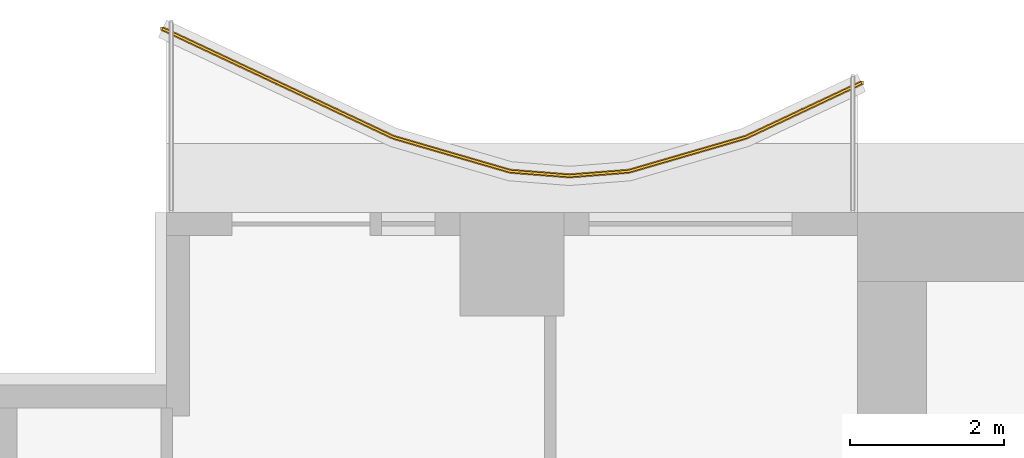
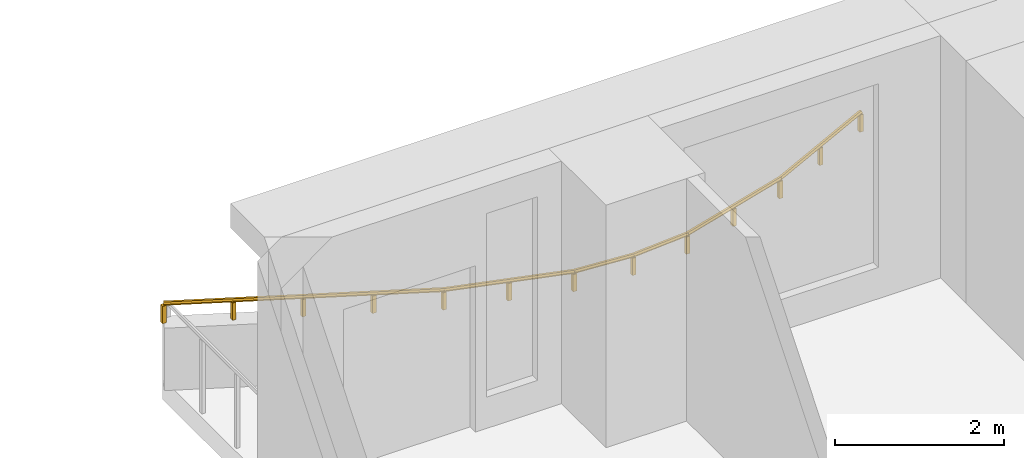
# One storey, part 13 of 14: 1 railing.
"""IFC4 building model written with IfcOpenShell, lengths in metres."""

from ifc_helpers import new_model, si_unit, direction, frame, origin, origin_2d, place, context, subcontext, project, spatial, polyline, rectangle, outline, extrude, material, type_object, element, save


model = new_model("IFC4")

# Units and contexts
model_context = context("Model", 3, precision=1e-05, world=origin(), true_north=direction((0.0, 1.0)))
body_context = subcontext(model_context, "Body", "Model", "MODEL_VIEW")
ifc_project = project(units=[si_unit("LENGTHUNIT", "METRE"), si_unit("AREAUNIT", "SQUARE_METRE"), si_unit("VOLUMEUNIT", "CUBIC_METRE"), si_unit("PLANEANGLEUNIT", "RADIAN"), si_unit("MASSUNIT", "GRAM", prefix="KILO")], contexts=[model_context])

# Site, building, storey
site_placement = place(None, origin())
site = spatial("IfcSite", under=ifc_project, at=site_placement, CompositionType="ELEMENT")
building_placement = place(site_placement, origin())
building = spatial("IfcBuilding", under=site, at=building_placement, Name="Orbiselva Terraces", CompositionType="ELEMENT")
storey_placement = place(building_placement, frame((0.0, 0.0, 60.6)))
storey = spatial("IfcBuildingStorey", under=building, at=storey_placement, Name="L15", CompositionType="ELEMENT", Elevation=60.6)

# Railing
ifc_material = material(Name="Bonded two-ply safety glass balustrade, stainless steel posts", Category="steel")
railing_type = type_object("IfcRailingType", Name="ENV-BALUSTRADE-1200", PredefinedType="BALUSTRADE", material=ifc_material)
railing_placement = place(storey_placement, frame((-13.446809, 24.186882, 0.9)))
element("IfcRailing", 1, at=railing_placement, inside=storey, type_object=railing_type, Name="Balcony balustrade L15 NW", PredefinedType="BALUSTRADE", context=body_context, shape_type="SweptSolid", body=[
    extrude(outline(polyline([(0.028868, 0.0), (0.014434, 0.025), (-0.014434, 0.025), (-0.028868, 0.0), (-0.014434, -0.025), (0.014434, -0.025), (0.028868, 0.0)])), frame((0.0, 0.0, 0.275), z_axis=(-0.904944157382, -0.425530342069, 0.0), x_axis=(0.425530342069, -0.904944157382, 0.0)), (0.0, 0.0, 1.0), 1.667376),
    extrude(outline(polyline([(0.028868, 0.0), (0.014434, 0.025), (-0.014434, 0.025), (-0.028868, 0.0), (-0.014434, -0.025), (0.014434, -0.025), (0.028868, 0.0)])), frame((-1.508882, -0.709519, 0.275), z_axis=(-0.960270491427, -0.279070928786, 0.0), x_axis=(0.279070928786, -0.960270491427, 0.0)), (0.0, 0.0, 1.0), 1.584712),
    extrude(outline(polyline([(0.028868, 0.0), (0.014434, 0.025), (-0.014434, 0.025), (-0.028868, 0.0), (-0.014434, -0.025), (0.014434, -0.025), (0.028868, 0.0)])), frame((-3.030634, -1.151766, 0.275), z_axis=(-0.996947796737, -0.078071061106, 0.0), x_axis=(0.078071061106, -0.996947796737, 0.0)), (0.0, 0.0, 1.0), 0.774922),
    extrude(outline(polyline([(0.028868, 0.0), (0.014434, 0.025), (-0.014434, 0.025), (-0.028868, 0.0), (-0.014434, -0.025), (0.014434, -0.025), (0.028868, 0.0)])), frame((-3.803191, -1.212265, 0.275), z_axis=(-0.996947796737, 0.078071061106, 0.0), x_axis=(-0.078071061106, -0.996947796737, 0.0)), (0.0, 0.0, 1.0), 0.774922),
    extrude(outline(polyline([(0.028868, 0.0), (0.014434, 0.025), (-0.014434, 0.025), (-0.028868, 0.0), (-0.014434, -0.025), (0.014434, -0.025), (0.028868, 0.0)])), frame((-4.575748, -1.151766, 0.275), z_axis=(-0.960270491427, 0.279070928786, 0.0), x_axis=(-0.279070928786, -0.960270491427, 0.0)), (0.0, 0.0, 1.0), 1.584712),
    extrude(outline(polyline([(0.028868, 0.0), (0.014434, 0.025), (-0.014434, 0.025), (-0.028868, 0.0), (-0.014434, -0.025), (0.014434, -0.025), (0.028868, 0.0)])), frame((-6.0975, -0.709519, 0.275), z_axis=(-0.904944157382, 0.425530342069, 0.0), x_axis=(-0.425530342069, -0.904944157382, 0.0)), (0.0, 0.0, 1.0), 1.667376),
    extrude(outline(polyline([(0.028868, 0.0), (0.014434, 0.025), (-0.014434, 0.025), (-0.028868, 0.0), (-0.014434, -0.025), (0.014434, -0.025), (0.028868, 0.0)])), frame((-7.606382, 0.0, 0.275), z_axis=(-0.904944257823, 0.425530128467, 0.0), x_axis=(-0.425530128467, -0.904944257823, 0.0)), (0.0, 0.0, 1.0), 1.657561),
    extrude(rectangle(XDim=0.05, YDim=0.05, at=origin_2d()), origin(), (0.0, 0.0, 1.0), 0.25),
    extrude(rectangle(XDim=0.05, YDim=0.05, at=origin_2d()), frame((-0.754441, -0.35476, 0.0)), (0.0, 0.0, 1.0), 0.25),
    extrude(rectangle(XDim=0.05, YDim=0.05, at=origin_2d()), frame((-1.508882, -0.709519, 0.0)), (0.0, 0.0, 1.0), 0.25),
    extrude(rectangle(XDim=0.05, YDim=0.05, at=origin_2d()), frame((-2.269758, -0.930643, 0.0)), (0.0, 0.0, 1.0), 0.25),
    extrude(rectangle(XDim=0.05, YDim=0.05, at=origin_2d()), frame((-3.030634, -1.151766, 0.0)), (0.0, 0.0, 1.0), 0.25),
    extrude(rectangle(XDim=0.05, YDim=0.05, at=origin_2d()), frame((-3.803191, -1.212265, 0.0)), (0.0, 0.0, 1.0), 0.25),
    extrude(rectangle(XDim=0.05, YDim=0.05, at=origin_2d()), frame((-4.575748, -1.151766, 0.0)), (0.0, 0.0, 1.0), 0.25),
    extrude(rectangle(XDim=0.05, YDim=0.05, at=origin_2d()), frame((-5.336624, -0.930643, 0.0)), (0.0, 0.0, 1.0), 0.25),
    extrude(rectangle(XDim=0.05, YDim=0.05, at=origin_2d()), frame((-6.0975, -0.709519, 0.0)), (0.0, 0.0, 1.0), 0.25),
    extrude(rectangle(XDim=0.05, YDim=0.05, at=origin_2d()), frame((-6.851941, -0.35476, 0.0)), (0.0, 0.0, 1.0), 0.25),
    extrude(rectangle(XDim=0.05, YDim=0.05, at=origin_2d()), frame((-7.606382, 0.0, 0.0)), (0.0, 0.0, 1.0), 0.25),
    extrude(rectangle(XDim=0.05, YDim=0.05, at=origin_2d()), frame((-8.356382, 0.352671, 0.0)), (0.0, 0.0, 1.0), 0.25),
    extrude(rectangle(XDim=0.05, YDim=0.05, at=origin_2d()), frame((-9.106382, 0.705342, 0.0)), (0.0, 0.0, 1.0), 0.25),
])

save(model, "model.ifc")
